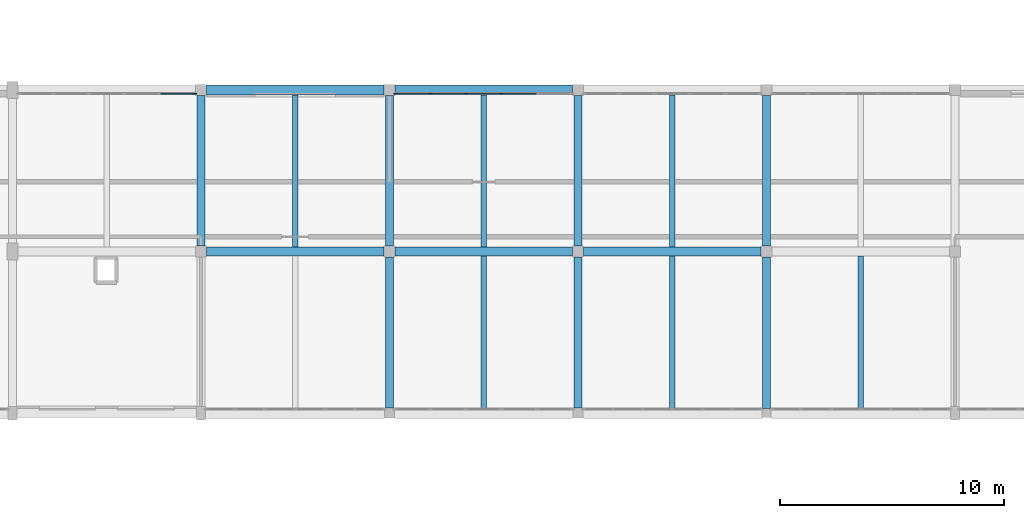
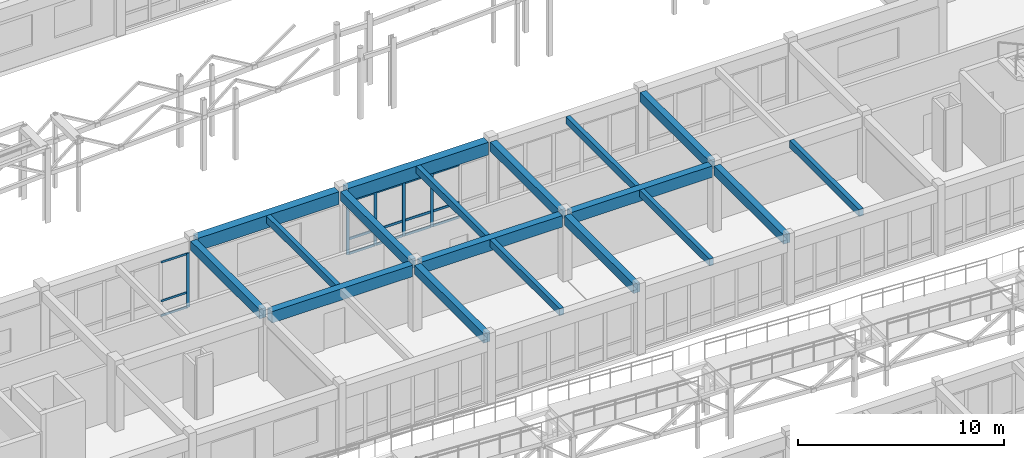
# One storey, part 31 of 89: 20 members, 18 beams, 2 elements without a shape of their own.
"""IFC4 building model written with IfcOpenShell, lengths in metres."""

from ifc_helpers import new_model, si_unit, direction, frame, origin, origin_2d, place, context, subcontext, project, spatial, rectangle, extrude, material, material_profile, profile_set, type_object, element, aggregate, save


model = new_model("IFC4")

# Units and contexts
model_context = context("Model", 3, precision=1e-05, world=origin(), true_north=direction((0.0, 1.0)))
body_context = subcontext(model_context, "Body", "Model", "MODEL_VIEW")
ifc_project = project(units=[si_unit("LENGTHUNIT", "METRE"), si_unit("AREAUNIT", "SQUARE_METRE"), si_unit("VOLUMEUNIT", "CUBIC_METRE"), si_unit("PLANEANGLEUNIT", "RADIAN"), si_unit("MASSUNIT", "GRAM", prefix="KILO")], contexts=[model_context])

# Site, building, storey
site_placement = place(None, origin())
site = spatial("IfcSite", under=ifc_project, at=site_placement, CompositionType="ELEMENT")
building_placement = place(site_placement, origin())
building = spatial("IfcBuilding", under=site, at=building_placement, Name="Malvenik Polytechnic", CompositionType="ELEMENT")
storey_placement = place(building_placement, frame((0.0, 0.0, 13.5)))
storey = spatial("IfcBuildingStorey", under=building, at=storey_placement, Name="L03", CompositionType="ELEMENT", Elevation=13.5)

# Curtain wall, members
ifc_material_1 = material(Name="Anodised aluminium 6060-T6", Category="aluminium")
curtain_wall_type = type_object("IfcCurtainWallType", Name="ARC-CW-CW-02", PredefinedType="NOTDEFINED", material=ifc_material_1)
curtain_wall_1_placement = place(storey_placement, origin())
curtain_wall_1 = element("IfcCurtainWall", 1, at=curtain_wall_1_placement, inside=storey, type_object=curtain_wall_type, Name="Unitised Curtain Wall CW-02 L03 #164", PredefinedType="NOTDEFINED")
ifc_material_2 = material(Name="Anodised aluminium", Category="aluminium")
ifc_material_profile_1 = material_profile(ifc_material_2, rectangle(XDim=0.06005859375, YDim=0.159912109375, at=origin_2d()), Name="ALU MULLION 60x160")
ifc_profile_set_1 = profile_set([ifc_material_profile_1], Name="Anodised aluminium")
member_type_1 = type_object("IfcMemberType", Name="ARC-CWM-160", PredefinedType="MULLION", material=ifc_profile_set_1)
member_1_placement = place(storey_placement, frame((42.278076171875, 93.429931640625, 0.0), z_axis=(0.0, 0.0, 1.0), x_axis=(0.0, 1.0, 0.0)))
member_1 = element("IfcMember", 2, at=member_1_placement, type_object=member_type_1, Name="CW-02 mullion 1", PredefinedType="MULLION", context=body_context, shape_type="SweptSolid", body=[
    extrude(rectangle(XDim=0.06005859375, YDim=0.159912109375, at=origin_2d()), origin(), (0.0, 0.0, 1.0), 3.159912109375),
])
member_2_placement = place(storey_placement, frame((43.828857421875, 93.429931640625, 0.0), z_axis=(0.0, 0.0, 1.0), x_axis=(0.0, 1.0, 0.0)))
member_2 = element("IfcMember", 3, at=member_2_placement, type_object=member_type_1, Name="CW-02 mullion 2", PredefinedType="MULLION", context=body_context, shape_type="SweptSolid", body=[
    extrude(rectangle(XDim=0.06005859375, YDim=0.159912109375, at=origin_2d()), origin(), (0.0, 0.0, 1.0), 3.159912109375),
])
member_3_placement = place(storey_placement, frame((45.40966796875, 93.429931640625, 0.0), z_axis=(0.0, 0.0, 1.0), x_axis=(0.0, 1.0, 0.0)))
member_3 = element("IfcMember", 4, at=member_3_placement, type_object=member_type_1, Name="CW-02 mullion 3", PredefinedType="MULLION", context=body_context, shape_type="SweptSolid", body=[
    extrude(rectangle(XDim=0.06005859375, YDim=0.159912109375, at=origin_2d()), origin(), (0.0, 0.0, 1.0), 3.159912109375),
])
member_4_placement = place(storey_placement, frame((46.990478515625, 93.429931640625, 0.0), z_axis=(0.0, 0.0, 1.0), x_axis=(0.0, 1.0, 0.0)))
member_4 = element("IfcMember", 5, at=member_4_placement, type_object=member_type_1, Name="CW-02 mullion 4", PredefinedType="MULLION", context=body_context, shape_type="SweptSolid", body=[
    extrude(rectangle(XDim=0.06005859375, YDim=0.159912109375, at=origin_2d()), origin(), (0.0, 0.0, 1.0), 3.159912109375),
])

curtain_wall_2_placement = place(storey_placement, origin())
curtain_wall_2 = element("IfcCurtainWall", 6, at=curtain_wall_2_placement, inside=storey, type_object=curtain_wall_type, Name="Unitised Curtain Wall CW-02 L03 #163", PredefinedType="NOTDEFINED")
ifc_material_profile_2 = material_profile(ifc_material_2, rectangle(XDim=0.06005859375, YDim=0.179931640625, at=origin_2d()), Name="ALU MULLION 60x180")
ifc_profile_set_2 = profile_set([ifc_material_profile_2], Name="Anodised aluminium")
member_type_2 = type_object("IfcMemberType", Name="ARC-CWM-180", PredefinedType="MULLION", material=ifc_profile_set_2)
member_5_placement = place(storey_placement, frame((33.322021484375, 93.429931640625, 0.0), z_axis=(0.0, 0.0, 1.0), x_axis=(0.0, 1.0, 0.0)))
member_5 = element("IfcMember", 7, at=member_5_placement, type_object=member_type_2, Name="CW-02 mullion 6", PredefinedType="MULLION", context=body_context, shape_type="SweptSolid", body=[
    extrude(rectangle(XDim=0.06005859375, YDim=0.179931640625, at=origin_2d()), origin(), (0.0, 0.0, 1.0), 3.22998046875),
])
ifc_material_profile_3 = material_profile(ifc_material_2, rectangle(XDim=0.06005859375, YDim=0.1201171875, at=origin_2d()), Name="ALU TRANSOM 60x120")
ifc_profile_set_3 = profile_set([ifc_material_profile_3], Name="Anodised aluminium")
member_type_3 = type_object("IfcMemberType", Name="ARC-CWT-120", PredefinedType="USERDEFINED", material=ifc_profile_set_3)
member_6_placement = place(storey_placement, frame((31.80126953125, 93.429931640625, 0.030029296875), z_axis=(1.0, 0.0, 0.0), x_axis=(0.0, 1.0, 0.0)))
member_6 = element("IfcMember", 8, at=member_6_placement, type_object=member_type_3, Name="CW-02 transom 5.1", ObjectType="TRANSOM", PredefinedType="USERDEFINED", context=body_context, shape_type="SweptSolid", body=[
    extrude(rectangle(XDim=0.06005859375, YDim=0.1201171875, at=origin_2d()), origin(), (0.0, 0.0, 1.0), 1.49072265625),
])
member_7_placement = place(storey_placement, frame((31.80126953125, 93.429931640625, 0.89990234375), z_axis=(1.0, 0.0, 0.0), x_axis=(0.0, 1.0, 0.0)))
member_7 = element("IfcMember", 9, at=member_7_placement, type_object=member_type_3, Name="CW-02 transom 5.2", ObjectType="TRANSOM", PredefinedType="USERDEFINED", context=body_context, shape_type="SweptSolid", body=[
    extrude(rectangle(XDim=0.06005859375, YDim=0.1201171875, at=origin_2d()), origin(), (0.0, 0.0, 1.0), 1.49072265625),
])
member_8_placement = place(storey_placement, frame((31.80126953125, 93.429931640625, 3.199951171875), z_axis=(1.0, 0.0, 0.0), x_axis=(0.0, 1.0, 0.0)))
member_8 = element("IfcMember", 10, at=member_8_placement, type_object=member_type_3, Name="CW-02 transom 5.3", ObjectType="TRANSOM", PredefinedType="USERDEFINED", context=body_context, shape_type="SweptSolid", body=[
    extrude(rectangle(XDim=0.06005859375, YDim=0.1201171875, at=origin_2d()), origin(), (0.0, 0.0, 1.0), 1.49072265625),
])
aggregate(curtain_wall_2, [member_5, member_6, member_7, member_8])

# Member
ifc_material_profile_4 = material_profile(ifc_material_2, rectangle(XDim=0.06005859375, YDim=0.139892578125, at=origin_2d()), Name="ALU TRANSOM 60x140")
ifc_profile_set_4 = profile_set([ifc_material_profile_4], Name="Anodised aluminium")
member_type_4 = type_object("IfcMemberType", Name="ARC-CWT-140", PredefinedType="USERDEFINED", material=ifc_profile_set_4)
member_9_placement = place(storey_placement, frame((42.30810546875, 93.429931640625, 0.030029296875), z_axis=(1.0, 0.0, 0.0), x_axis=(0.0, 1.0, 0.0)))
member_9 = element("IfcMember", 11, at=member_9_placement, type_object=member_type_4, Name="CW-02 transom 1.1", ObjectType="TRANSOM", PredefinedType="USERDEFINED", context=body_context, shape_type="SweptSolid", body=[
    extrude(rectangle(XDim=0.06005859375, YDim=0.139892578125, at=origin_2d()), origin(), (0.0, 0.0, 1.0), 1.49072265625),
])

member_10_placement = place(storey_placement, frame((42.30810546875, 93.429931640625, 0.89990234375), z_axis=(1.0, 0.0, 0.0), x_axis=(0.0, 1.0, 0.0)))
member_10 = element("IfcMember", 12, at=member_10_placement, type_object=member_type_4, Name="CW-02 transom 1.2", ObjectType="TRANSOM", PredefinedType="USERDEFINED", context=body_context, shape_type="SweptSolid", body=[
    extrude(rectangle(XDim=0.06005859375, YDim=0.139892578125, at=origin_2d()), origin(), (0.0, 0.0, 1.0), 1.49072265625),
])

member_11_placement = place(storey_placement, frame((42.30810546875, 93.429931640625, 3.1298828125), z_axis=(1.0, 0.0, 0.0), x_axis=(0.0, 1.0, 0.0)))
member_11 = element("IfcMember", 13, at=member_11_placement, type_object=member_type_4, Name="CW-02 transom 1.3", ObjectType="TRANSOM", PredefinedType="USERDEFINED", context=body_context, shape_type="SweptSolid", body=[
    extrude(rectangle(XDim=0.06005859375, YDim=0.139892578125, at=origin_2d()), origin(), (0.0, 0.0, 1.0), 1.49072265625),
])

member_12_placement = place(storey_placement, frame((43.85888671875, 93.429931640625, 0.030029296875), z_axis=(1.0, 0.0, 0.0), x_axis=(0.0, 1.0, 0.0)))
member_12 = element("IfcMember", 14, at=member_12_placement, type_object=member_type_4, Name="CW-02 transom 2.1", ObjectType="TRANSOM", PredefinedType="USERDEFINED", context=body_context, shape_type="SweptSolid", body=[
    extrude(rectangle(XDim=0.06005859375, YDim=0.139892578125, at=origin_2d()), origin(), (0.0, 0.0, 1.0), 1.520751953125),
])

member_13_placement = place(storey_placement, frame((43.85888671875, 93.429931640625, 0.89990234375), z_axis=(1.0, 0.0, 0.0), x_axis=(0.0, 1.0, 0.0)))
member_13 = element("IfcMember", 15, at=member_13_placement, type_object=member_type_4, Name="CW-02 transom 2.2", ObjectType="TRANSOM", PredefinedType="USERDEFINED", context=body_context, shape_type="SweptSolid", body=[
    extrude(rectangle(XDim=0.06005859375, YDim=0.139892578125, at=origin_2d()), origin(), (0.0, 0.0, 1.0), 1.520751953125),
])

member_14_placement = place(storey_placement, frame((43.85888671875, 93.429931640625, 3.1298828125), z_axis=(1.0, 0.0, 0.0), x_axis=(0.0, 1.0, 0.0)))
member_14 = element("IfcMember", 16, at=member_14_placement, type_object=member_type_4, Name="CW-02 transom 2.3", ObjectType="TRANSOM", PredefinedType="USERDEFINED", context=body_context, shape_type="SweptSolid", body=[
    extrude(rectangle(XDim=0.06005859375, YDim=0.139892578125, at=origin_2d()), origin(), (0.0, 0.0, 1.0), 1.520751953125),
])

member_15_placement = place(storey_placement, frame((45.439697265625, 93.429931640625, 0.030029296875), z_axis=(1.0, 0.0, 0.0), x_axis=(0.0, 1.0, 0.0)))
member_15 = element("IfcMember", 17, at=member_15_placement, type_object=member_type_4, Name="CW-02 transom 3.1", ObjectType="TRANSOM", PredefinedType="USERDEFINED", context=body_context, shape_type="SweptSolid", body=[
    extrude(rectangle(XDim=0.06005859375, YDim=0.139892578125, at=origin_2d()), origin(), (0.0, 0.0, 1.0), 1.520751953125),
])

member_16_placement = place(storey_placement, frame((45.439697265625, 93.429931640625, 0.89990234375), z_axis=(1.0, 0.0, 0.0), x_axis=(0.0, 1.0, 0.0)))
member_16 = element("IfcMember", 18, at=member_16_placement, type_object=member_type_4, Name="CW-02 transom 3.2", ObjectType="TRANSOM", PredefinedType="USERDEFINED", context=body_context, shape_type="SweptSolid", body=[
    extrude(rectangle(XDim=0.06005859375, YDim=0.139892578125, at=origin_2d()), origin(), (0.0, 0.0, 1.0), 1.520751953125),
])

member_17_placement = place(storey_placement, frame((45.439697265625, 93.429931640625, 3.1298828125), z_axis=(1.0, 0.0, 0.0), x_axis=(0.0, 1.0, 0.0)))
member_17 = element("IfcMember", 19, at=member_17_placement, type_object=member_type_4, Name="CW-02 transom 3.3", ObjectType="TRANSOM", PredefinedType="USERDEFINED", context=body_context, shape_type="SweptSolid", body=[
    extrude(rectangle(XDim=0.06005859375, YDim=0.139892578125, at=origin_2d()), origin(), (0.0, 0.0, 1.0), 1.520751953125),
])

member_18_placement = place(storey_placement, frame((47.0205078125, 93.429931640625, 0.030029296875), z_axis=(1.0, 0.0, 0.0), x_axis=(0.0, 1.0, 0.0)))
member_18 = element("IfcMember", 20, at=member_18_placement, type_object=member_type_4, Name="CW-02 transom 4.1", ObjectType="TRANSOM", PredefinedType="USERDEFINED", context=body_context, shape_type="SweptSolid", body=[
    extrude(rectangle(XDim=0.06005859375, YDim=0.139892578125, at=origin_2d()), origin(), (0.0, 0.0, 1.0), 1.520751953125),
])

member_19_placement = place(storey_placement, frame((47.0205078125, 93.429931640625, 0.89990234375), z_axis=(1.0, 0.0, 0.0), x_axis=(0.0, 1.0, 0.0)))
member_19 = element("IfcMember", 21, at=member_19_placement, type_object=member_type_4, Name="CW-02 transom 4.2", ObjectType="TRANSOM", PredefinedType="USERDEFINED", context=body_context, shape_type="SweptSolid", body=[
    extrude(rectangle(XDim=0.06005859375, YDim=0.139892578125, at=origin_2d()), origin(), (0.0, 0.0, 1.0), 1.520751953125),
])

member_20_placement = place(storey_placement, frame((47.0205078125, 93.429931640625, 3.1298828125), z_axis=(1.0, 0.0, 0.0), x_axis=(0.0, 1.0, 0.0)))
member_20 = element("IfcMember", 22, at=member_20_placement, type_object=member_type_4, Name="CW-02 transom 4.3", ObjectType="TRANSOM", PredefinedType="USERDEFINED", context=body_context, shape_type="SweptSolid", body=[
    extrude(rectangle(XDim=0.06005859375, YDim=0.139892578125, at=origin_2d()), origin(), (0.0, 0.0, 1.0), 1.520751953125),
])

aggregate(curtain_wall_1, [member_1, member_2, member_3, member_4, member_9, member_10, member_11, member_12, member_13, member_14, member_15, member_16, member_17, member_18, member_19, member_20])

# Beams
ifc_material_3 = material(Name="Concrete C35/45", Category="concrete")
ifc_material_profile_5 = material_profile(ifc_material_3, rectangle(XDim=0.39990234375, YDim=0.679931640625, at=origin_2d()), Name="RC BM 400x680")
ifc_profile_set_5 = profile_set([ifc_material_profile_5], Name="Concrete C35/45")
beam_type_1 = type_object("IfcBeamType", Name="STR-BM-B-05", PredefinedType="BEAM", material=ifc_profile_set_5)
for number, where, z_axis, x_axis, name in (
    (23, (33.847900390625, 86.39990234375, 3.580078125), (1.0, 0.0, 0.0), (0.0, 1.0, 0.0), "Primary Beam B-05 L03 #1652"),
    (24, (42.248046875, 86.39990234375, 3.580078125), (1.0, 0.0, 0.0), (0.0, 1.0, 0.0), "Primary Beam B-05 L03 #1653"),
    (25, (50.64794921875, 86.39990234375, 3.580078125), (1.0, 0.0, 0.0), (0.0, 1.0, 0.0), "Primary Beam B-05 L03 #1654"),
):
    element("IfcBeam", number, at=place(storey_placement, frame(where, z_axis=z_axis, x_axis=x_axis)), inside=storey, type_object=beam_type_1, Name=name, PredefinedType="BEAM", context=body_context, shape_type="SweptSolid", body=[
        extrude(rectangle(XDim=0.39990234375, YDim=0.679931640625, at=origin_2d()), origin(), (0.0, 0.0, 1.0), 7.904052734375),
    ])
ifc_material_profile_6 = material_profile(ifc_material_3, rectangle(XDim=0.35009765625, YDim=0.550048828125, at=origin_2d()), Name="RC BM 350x550")
ifc_profile_set_6 = profile_set([ifc_material_profile_6], Name="Concrete C35/45")
beam_type_2 = type_object("IfcBeamType", Name="STR-BM-B-08", PredefinedType="BEAM", material=ifc_profile_set_6)
beam_1_placement = place(storey_placement, frame((33.60009765625, 86.64794921875, 3.64501953125), z_axis=(0.0, 1.0, 0.0), x_axis=(-1.0, 0.0, 0.0)))
element("IfcBeam", 26, at=beam_1_placement, inside=storey, type_object=beam_type_2, Name="Transverse Beam B-08 L03 #1736", PredefinedType="BEAM", context=body_context, shape_type="SweptSolid", body=[
    extrude(rectangle(XDim=0.35009765625, YDim=0.550048828125, at=origin_2d()), origin(), (0.0, 0.0, 1.0), 6.7041015625),
])
beam_2_placement = place(storey_placement, frame((42.0, 79.423095703125, 3.64501953125), z_axis=(0.0, 1.0, 0.0), x_axis=(-1.0, 0.0, 0.0)))
element("IfcBeam", 27, at=beam_2_placement, inside=storey, type_object=beam_type_2, Name="Transverse Beam B-08 L03 #1739", PredefinedType="BEAM", context=body_context, shape_type="SweptSolid", body=[
    extrude(rectangle(XDim=0.35009765625, YDim=0.550048828125, at=origin_2d()), origin(), (0.0, 0.0, 1.0), 6.72900390625),
])
beam_3_placement = place(storey_placement, frame((42.0, 86.64794921875, 3.64501953125), z_axis=(0.0, 1.0, 0.0), x_axis=(-1.0, 0.0, 0.0)))
element("IfcBeam", 28, at=beam_3_placement, inside=storey, type_object=beam_type_2, Name="Transverse Beam B-08 L03 #1740", PredefinedType="BEAM", context=body_context, shape_type="SweptSolid", body=[
    extrude(rectangle(XDim=0.35009765625, YDim=0.550048828125, at=origin_2d()), origin(), (0.0, 0.0, 1.0), 6.7041015625),
])
beam_4_placement = place(storey_placement, frame((50.39990234375, 79.423095703125, 3.64501953125), z_axis=(0.0, 1.0, 0.0), x_axis=(-1.0, 0.0, 0.0)))
element("IfcBeam", 29, at=beam_4_placement, inside=storey, type_object=beam_type_2, Name="Transverse Beam B-08 L03 #1744", PredefinedType="BEAM", context=body_context, shape_type="SweptSolid", body=[
    extrude(rectangle(XDim=0.35009765625, YDim=0.550048828125, at=origin_2d()), origin(), (0.0, 0.0, 1.0), 6.72900390625),
])
beam_5_placement = place(storey_placement, frame((50.39990234375, 86.64794921875, 3.64501953125), z_axis=(0.0, 1.0, 0.0), x_axis=(-1.0, 0.0, 0.0)))
element("IfcBeam", 30, at=beam_5_placement, inside=storey, type_object=beam_type_2, Name="Transverse Beam B-08 L03 #1745", PredefinedType="BEAM", context=body_context, shape_type="SweptSolid", body=[
    extrude(rectangle(XDim=0.35009765625, YDim=0.550048828125, at=origin_2d()), origin(), (0.0, 0.0, 1.0), 6.7041015625),
])
beam_6_placement = place(storey_placement, frame((58.800048828125, 79.39794921875, 3.64501953125), z_axis=(0.0, 1.0, 0.0), x_axis=(-1.0, 0.0, 0.0)))
element("IfcBeam", 31, at=beam_6_placement, inside=storey, type_object=beam_type_2, Name="Transverse Beam B-08 L03 #1749", PredefinedType="BEAM", context=body_context, shape_type="SweptSolid", body=[
    extrude(rectangle(XDim=0.35009765625, YDim=0.550048828125, at=origin_2d()), origin(), (0.0, 0.0, 1.0), 6.754150390625),
])
beam_7_placement = place(storey_placement, frame((58.800048828125, 86.64794921875, 3.64501953125), z_axis=(0.0, 1.0, 0.0), x_axis=(-1.0, 0.0, 0.0)))
element("IfcBeam", 32, at=beam_7_placement, inside=storey, type_object=beam_type_2, Name="Transverse Beam B-08 L03 #1750", PredefinedType="BEAM", context=body_context, shape_type="SweptSolid", body=[
    extrude(rectangle(XDim=0.35009765625, YDim=0.550048828125, at=origin_2d()), origin(), (0.0, 0.0, 1.0), 6.7041015625),
])
ifc_material_4 = material(Name="Concrete C30/37", Category="concrete")
ifc_material_profile_7 = material_profile(ifc_material_4, rectangle(XDim=0.239990234375, YDim=0.419921875, at=origin_2d()), Name="RC JST 240x420")
ifc_profile_set_7 = profile_set([ifc_material_profile_7], Name="Concrete C30/37")
beam_type_3 = type_object("IfcBeamType", Name="STR-BM-J-03", PredefinedType="JOIST", material=ifc_profile_set_7)
beam_8_placement = place(storey_placement, frame((37.800048828125, 86.597900390625, 3.7099609375), z_axis=(0.0, 1.0, 0.0), x_axis=(-1.0, 0.0, 0.0)))
element("IfcBeam", 33, at=beam_8_placement, inside=storey, type_object=beam_type_3, Name="Secondary Rib Joist J-03 L03 #1793", PredefinedType="JOIST", context=body_context, shape_type="SweptSolid", body=[
    extrude(rectangle(XDim=0.239990234375, YDim=0.419921875, at=origin_2d()), origin(), (0.0, 0.0, 1.0), 6.774169921875),
])
beam_9_placement = place(storey_placement, frame((46.199951171875, 79.427978515625, 3.7099609375), z_axis=(0.0, 1.0, 0.0), x_axis=(-1.0, 0.0, 0.0)))
element("IfcBeam", 34, at=beam_9_placement, inside=storey, type_object=beam_type_3, Name="Secondary Rib Joist J-03 L03 #1796", PredefinedType="JOIST", context=body_context, shape_type="SweptSolid", body=[
    extrude(rectangle(XDim=0.239990234375, YDim=0.419921875, at=origin_2d()), origin(), (0.0, 0.0, 1.0), 6.77392578125),
])
beam_10_placement = place(storey_placement, frame((46.199951171875, 86.597900390625, 3.7099609375), z_axis=(0.0, 1.0, 0.0), x_axis=(-1.0, 0.0, 0.0)))
element("IfcBeam", 35, at=beam_10_placement, inside=storey, type_object=beam_type_3, Name="Secondary Rib Joist J-03 L03 #1797", PredefinedType="JOIST", context=body_context, shape_type="SweptSolid", body=[
    extrude(rectangle(XDim=0.239990234375, YDim=0.419921875, at=origin_2d()), origin(), (0.0, 0.0, 1.0), 6.774169921875),
])
beam_11_placement = place(storey_placement, frame((54.60009765625, 79.427978515625, 3.7099609375), z_axis=(0.0, 1.0, 0.0), x_axis=(-1.0, 0.0, 0.0)))
element("IfcBeam", 36, at=beam_11_placement, inside=storey, type_object=beam_type_3, Name="Secondary Rib Joist J-03 L03 #1801", PredefinedType="JOIST", context=body_context, shape_type="SweptSolid", body=[
    extrude(rectangle(XDim=0.239990234375, YDim=0.419921875, at=origin_2d()), origin(), (0.0, 0.0, 1.0), 6.77392578125),
])
beam_12_placement = place(storey_placement, frame((54.60009765625, 86.597900390625, 3.7099609375), z_axis=(0.0, 1.0, 0.0), x_axis=(-1.0, 0.0, 0.0)))
element("IfcBeam", 37, at=beam_12_placement, inside=storey, type_object=beam_type_3, Name="Secondary Rib Joist J-03 L03 #1802", PredefinedType="JOIST", context=body_context, shape_type="SweptSolid", body=[
    extrude(rectangle(XDim=0.239990234375, YDim=0.419921875, at=origin_2d()), origin(), (0.0, 0.0, 1.0), 6.774169921875),
])
beam_13_placement = place(storey_placement, frame((63.0, 79.427978515625, 3.7099609375), z_axis=(0.0, 1.0, 0.0), x_axis=(-1.0, 0.0, 0.0)))
element("IfcBeam", 38, at=beam_13_placement, inside=storey, type_object=beam_type_3, Name="Secondary Rib Joist J-03 L03 #1804", PredefinedType="JOIST", context=body_context, shape_type="SweptSolid", body=[
    extrude(rectangle(XDim=0.239990234375, YDim=0.419921875, at=origin_2d()), origin(), (0.0, 0.0, 1.0), 6.77392578125),
])
ifc_material_5 = material(Name="Precast concrete C40/50", Category="concrete")
ifc_material_profile_8 = material_profile(ifc_material_5, rectangle(XDim=0.4599609375, YDim=0.75, at=origin_2d()), Name="PC SPN 460x750")
ifc_profile_set_8 = profile_set([ifc_material_profile_8], Name="Precast concrete C40/50")
beam_type_4 = type_object("IfcBeamType", Name="STR-BM-SP-02", PredefinedType="SPANDREL", material=ifc_profile_set_8)
for number, where, z_axis, x_axis, name in (
    (39, (33.847900390625, 93.60009765625, 3.544921875), (1.0, 0.0, 0.0), (0.0, 1.0, 0.0), "Primary Beam SP-02 L03 #1666"),
    (40, (42.248046875, 93.60009765625, 3.544921875), (1.0, 0.0, 0.0), (0.0, 1.0, 0.0), "Primary Beam SP-02 L03 #1667"),
):
    element("IfcBeam", number, at=place(storey_placement, frame(where, z_axis=z_axis, x_axis=x_axis)), inside=storey, type_object=beam_type_4, Name=name, PredefinedType="SPANDREL", context=body_context, shape_type="SweptSolid", body=[
        extrude(rectangle(XDim=0.4599609375, YDim=0.75, at=origin_2d()), origin(), (0.0, 0.0, 1.0), 7.904052734375),
    ])

save(model, "model.ifc")
